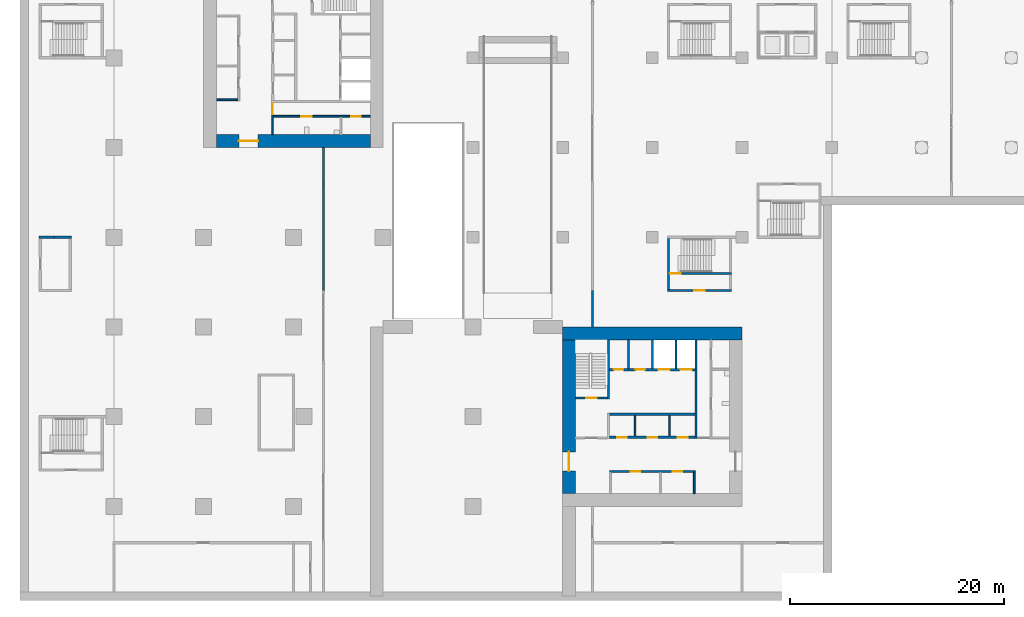
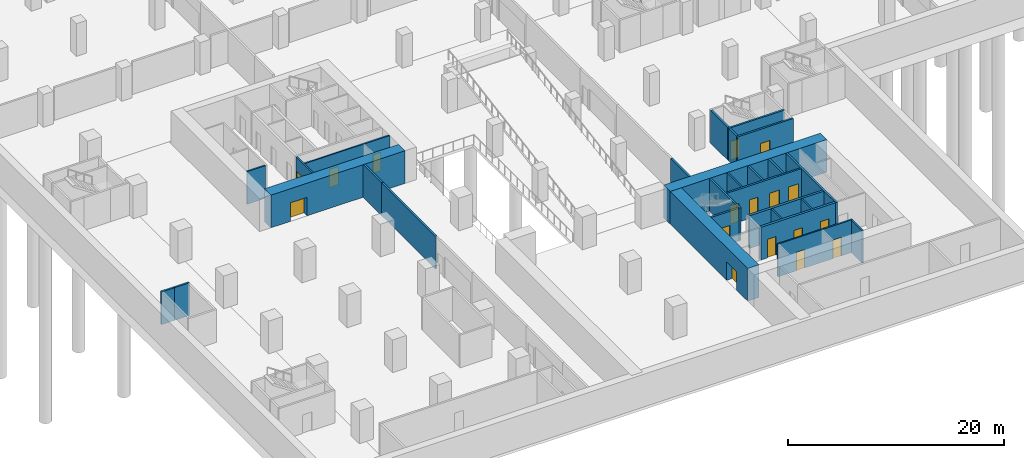
# One storey, part 4 of 19: 28 walls, 17 doors, 17 openings.
"""IFC4 building model written with IfcOpenShell, lengths in metres."""

from ifc_helpers import new_model, si_unit, direction, frame, frame_2d, origin, place, context, subcontext, project, spatial, rectangle, extrude, material, layer, layer_set, type_object, element, fill, save


model = new_model("IFC4")

# Units and contexts
model_context = context("Model", 3, precision=1e-05, world=origin(), true_north=direction((0.0, 1.0)))
body_context = subcontext(model_context, "Body", "Model", "MODEL_VIEW")
ifc_project = project(units=[si_unit("LENGTHUNIT", "METRE"), si_unit("AREAUNIT", "SQUARE_METRE"), si_unit("VOLUMEUNIT", "CUBIC_METRE"), si_unit("PLANEANGLEUNIT", "RADIAN"), si_unit("MASSUNIT", "GRAM", prefix="KILO")], contexts=[model_context])

# Site, building, storey
site_placement = place(None, origin())
site = spatial("IfcSite", under=ifc_project, at=site_placement, CompositionType="ELEMENT")
building_placement = place(site_placement, origin())
building = spatial("IfcBuilding", under=site, at=building_placement, Name="Vermilion Gate Residences", CompositionType="ELEMENT")
storey_placement = place(building_placement, frame((0.0, 0.0, -8.0)))
storey = spatial("IfcBuildingStorey", under=building, at=storey_placement, Name="B2", CompositionType="ELEMENT", Elevation=-8.0)

# Wall
ifc_material_1 = material(Name="Masonry blockwork", Category="masonry")
ifc_layer_1 = layer(ifc_material_1, 0.14990234375)
ifc_layer_set_1 = layer_set([ifc_layer_1], Name="BLOCKWORK PARTITION 150 EI 120")
wall_type_1 = type_object("IfcWallType", Name="BLOCKWORK PARTITION 150 EI 120", PredefinedType="PARTITIONING", material=ifc_layer_set_1)
wall_1_placement = place(storey_placement, frame((54.324951171875, 9.60009765625, 0.0), z_axis=(0.0, 0.0, 1.0), x_axis=(0.0, 1.0, 0.0)))
element("IfcWall", 1, at=wall_1_placement, inside=storey, type_object=wall_type_1, Name="Core room partition AB2-RW-E", PredefinedType="PARTITIONING", context=body_context, shape_type="SweptSolid", body=[
    extrude(rectangle(XDim=2.0, YDim=0.14990234375, at=frame_2d((1.0, 0.0))), origin(), (0.0, 0.0, 1.0), 3.699951171875),
])

# Wall, openings, doors
wall_2_placement = place(storey_placement, frame((46.39990234375, 11.675048828125, 0.0), z_axis=(0.0, 0.0, 1.0), x_axis=(1.0, 0.0, 0.0)))
wall_2 = element("IfcWall", 2, at=wall_2_placement, inside=storey, type_object=wall_type_1, Name="Core room partition AB2-LR-F", PredefinedType="PARTITIONING", context=body_context, shape_type="SweptSolid", body=[
    extrude(rectangle(XDim=8.0, YDim=0.14990234375, at=frame_2d((4.0, 0.0))), origin(), (0.0, 0.0, 1.0), 3.699951171875),
])
opening_1_placement = place(wall_2_placement, frame((1.965087890625, 0.0, 0.0)))
opening_1 = element("IfcOpeningElement", 3, at=opening_1_placement, cuts=wall_2, Name="Opening DKB2003", PredefinedType="OPENING", context=body_context, shape_type="SweptSolid", body=[
    extrude(rectangle(XDim=0.89990234375, YDim=2.10009765625, at=frame_2d((0.449951171875, 1.050048828125))), frame((0.0, 0.0849609375, 0.0), z_axis=(0.0, -1.0, 0.0), x_axis=(1.0, 0.0, 0.0)), (0.0, 0.0, 1.0), 0.169921875),
])
opening_2_placement = place(wall_2_placement, frame((5.889892578125, 0.0, 0.0)))
opening_2 = element("IfcOpeningElement", 4, at=opening_2_placement, cuts=wall_2, Name="Opening DKB2004", PredefinedType="OPENING", context=body_context, shape_type="SweptSolid", body=[
    extrude(rectangle(XDim=0.89990234375, YDim=2.10009765625, at=frame_2d((0.449951171875, 1.050048828125))), frame((0.0, 0.0849609375, 0.0), z_axis=(0.0, -1.0, 0.0), x_axis=(1.0, 0.0, 0.0)), (0.0, 0.0, 1.0), 0.169921875),
])
ifc_material_2 = material(Name="Steel", Category="steel")
door_type_1 = type_object("IfcDoorType", Name="SERVICE ROOM DOOR FD60 900 X 2100", OperationType="SINGLE_SWING_LEFT", PredefinedType="DOOR", material=ifc_material_2)
door_1_placement = place(opening_1_placement, frame((0.89990234375, 0.0, 0.0), z_axis=(0.0, 0.0, 1.0), x_axis=(-1.0, 0.0, 0.0)))
door_1 = element("IfcDoor", 5, at=door_1_placement, inside=storey, type_object=door_type_1, Name="Mail room AB2", OperationType="SINGLE_SWING_RIGHT", OverallHeight=2.10009765625, OverallWidth=0.89990234375, PredefinedType="DOOR", context=body_context, shape_type="SweptSolid", body=[
    extrude(rectangle(XDim=0.89990234375, YDim=2.10009765625, at=frame_2d((0.449951171875, 1.050048828125))), frame((0.0, 0.02490234375, 0.0), z_axis=(0.0, -1.0, 0.0), x_axis=(1.0, 0.0, 0.0)), (0.0, 0.0, 1.0), 0.050048828125),
])
fill(opening_1, door_1)
door_2_placement = place(opening_2_placement, frame((0.89990234375, 0.0, 0.0), z_axis=(0.0, 0.0, 1.0), x_axis=(-1.0, 0.0, 0.0)))
door_2 = element("IfcDoor", 6, at=door_2_placement, inside=storey, type_object=door_type_1, Name="Cleaner's store AB2", OperationType="SINGLE_SWING_RIGHT", OverallHeight=2.10009765625, OverallWidth=0.89990234375, PredefinedType="DOOR", context=body_context, shape_type="SweptSolid", body=[
    extrude(rectangle(XDim=0.89990234375, YDim=2.10009765625, at=frame_2d((0.449951171875, 1.050048828125))), frame((0.0, 0.02490234375, 0.0), z_axis=(0.0, -1.0, 0.0), x_axis=(1.0, 0.0, 0.0)), (0.0, 0.0, 1.0), 0.050048828125),
])
fill(opening_2, door_2)

# Walls
for number, where, z_axis, x_axis, name in (
    (7, (48.784912109375, 15.0, 0.0), (0.0, 0.0, 1.0), (0.0, 1.0, 0.0), "Core room partition AB2-HR-P0"),
    (8, (52.014892578125, 15.0, 0.0), (0.0, 0.0, 1.0), (0.0, 1.0, 0.0), "Core room partition AB2-HR-P1"),
):
    element("IfcWall", number, at=place(storey_placement, frame(where, z_axis=z_axis, x_axis=x_axis)), inside=storey, type_object=wall_type_1, Name=name, PredefinedType="PARTITIONING", context=body_context, shape_type="SweptSolid", body=[
        extrude(rectangle(XDim=1.89990234375, YDim=0.14990234375, at=frame_2d((0.949951171875, 0.0))), origin(), (0.0, 0.0, 1.0), 3.699951171875),
    ])
wall_3_placement = place(storey_placement, frame((48.16259765625, 21.300048828125, 0.0), z_axis=(0.0, 0.0, 1.0), x_axis=(0.0, 1.0, 0.0)))
element("IfcWall", 9, at=wall_3_placement, inside=storey, type_object=wall_type_1, Name="Core room partition AB2-NR-P0", PredefinedType="PARTITIONING", context=body_context, shape_type="SweptSolid", body=[
    extrude(rectangle(XDim=2.699951171875, YDim=0.14990234375, at=frame_2d((1.35009765625, 0.0))), origin(), (0.0, 0.0, 1.0), 3.699951171875),
])
wall_4_placement = place(storey_placement, frame((9.60009765625, 46.47509765625, 0.0), z_axis=(0.0, 0.0, 1.0), x_axis=(1.0, 0.0, 0.0)))
element("IfcWall", 10, at=wall_4_placement, inside=storey, type_object=wall_type_1, Name="Core room partition BB2-RW-E", PredefinedType="PARTITIONING", context=body_context, shape_type="SweptSolid", body=[
    extrude(rectangle(XDim=2.0, YDim=0.14990234375, at=frame_2d((1.0, 0.0))), origin(), (0.0, 0.0, 1.0), 3.699951171875),
])

# Wall, opening, door
wall_5_placement = place(storey_placement, frame((14.824951171875, 46.199951171875, 0.0), z_axis=(0.0, 0.0, 1.0), x_axis=(0.0, -1.0, 0.0)))
wall_5 = element("IfcWall", 11, at=wall_5_placement, inside=storey, type_object=wall_type_1, Name="Core room partition BB2-ES-S", PredefinedType="PARTITIONING", context=body_context, shape_type="SweptSolid", body=[
    extrude(rectangle(XDim=3.0, YDim=0.14990234375, at=frame_2d((1.5, 0.0))), origin(), (0.0, 0.0, 1.0), 3.699951171875),
])
opening_3_placement = place(wall_5_placement, frame((0.10009765625, 0.0, 0.0)))
opening_3 = element("IfcOpeningElement", 12, at=opening_3_placement, cuts=wall_5, Name="Opening DKB2113", PredefinedType="OPENING", context=body_context, shape_type="SweptSolid", body=[
    extrude(rectangle(XDim=1.0, YDim=2.10009765625, at=frame_2d((0.5, 1.050048828125))), frame((0.0, 0.0849609375, 0.0), z_axis=(0.0, -1.0, 0.0), x_axis=(1.0, 0.0, 0.0)), (0.0, 0.0, 1.0), 0.169921875),
])
ifc_material_3 = material(Name="Steel", Category="steel")
door_type_2 = type_object("IfcDoorType", Name="FIRE DOOR FD60 1000 X 2100", OperationType="SINGLE_SWING_LEFT", PredefinedType="DOOR", material=ifc_material_3)
door_3_placement = place(opening_3_placement, frame((1.0, 0.0, 0.0), z_axis=(0.0, 0.0, 1.0), x_axis=(-1.0, 0.0, 0.0)))
door_3 = element("IfcDoor", 13, at=door_3_placement, inside=storey, type_object=door_type_2, Name="Service corridor door BB2", OperationType="SINGLE_SWING_LEFT", OverallHeight=2.10009765625, OverallWidth=1.0, PredefinedType="DOOR", context=body_context, shape_type="SweptSolid", body=[
    extrude(rectangle(XDim=1.0, YDim=2.10009765625, at=frame_2d((0.5, 1.050048828125))), frame((0.0, 0.02490234375, 0.0), z_axis=(0.0, -1.0, 0.0), x_axis=(1.0, 0.0, 0.0)), (0.0, 0.0, 1.0), 0.050048828125),
])
fill(opening_3, door_3)

# Wall, openings, doors
wall_6_placement = place(storey_placement, frame((14.89990234375, 44.925048828125, 0.0), z_axis=(0.0, 0.0, 1.0), x_axis=(1.0, 0.0, 0.0)))
wall_6 = element("IfcWall", 14, at=wall_6_placement, inside=storey, type_object=wall_type_1, Name="Core room partition BB2-ES-W", PredefinedType="PARTITIONING", context=body_context, shape_type="SweptSolid", body=[
    extrude(rectangle(XDim=9.10009765625, YDim=0.14990234375, at=frame_2d((4.550048828125, 0.0))), origin(), (0.0, 0.0, 1.0), 3.699951171875),
])
opening_4_placement = place(wall_6_placement, frame((2.632568359375, 0.0, 0.0)))
opening_4 = element("IfcOpeningElement", 15, at=opening_4_placement, cuts=wall_6, Name="Opening DKB2114", PredefinedType="OPENING", context=body_context, shape_type="SweptSolid", body=[
    extrude(rectangle(XDim=1.0, YDim=2.10009765625, at=frame_2d((0.5, 1.050048828125))), frame((0.0, 0.0849609375, 0.0), z_axis=(0.0, -1.0, 0.0), x_axis=(1.0, 0.0, 0.0)), (0.0, 0.0, 1.0), 0.169921875),
])
opening_5_placement = place(wall_6_placement, frame((7.3076171875, 0.0, 0.0)))
opening_5 = element("IfcOpeningElement", 16, at=opening_5_placement, cuts=wall_6, Name="Opening DKB2115", PredefinedType="OPENING", context=body_context, shape_type="SweptSolid", body=[
    extrude(rectangle(XDim=0.89990234375, YDim=2.10009765625, at=frame_2d((0.449951171875, 1.050048828125))), frame((0.0, 0.0849609375, 0.0), z_axis=(0.0, -1.0, 0.0), x_axis=(1.0, 0.0, 0.0)), (0.0, 0.0, 1.0), 0.169921875),
])
door_4_placement = place(opening_4_placement, frame((1.0, 0.0, 0.0), z_axis=(0.0, 0.0, 1.0), x_axis=(-1.0, 0.0, 0.0)))
door_4 = element("IfcDoor", 17, at=door_4_placement, inside=storey, type_object=door_type_2, Name="Accessible WC BB2", OperationType="SINGLE_SWING_RIGHT", OverallHeight=2.10009765625, OverallWidth=1.0, PredefinedType="DOOR", context=body_context, shape_type="SweptSolid", body=[
    extrude(rectangle(XDim=1.0, YDim=2.10009765625, at=frame_2d((0.5, 1.050048828125))), frame((0.0, 0.02490234375, 0.0), z_axis=(0.0, -1.0, 0.0), x_axis=(1.0, 0.0, 0.0)), (0.0, 0.0, 1.0), 0.050048828125),
])
fill(opening_4, door_4)
door_5_placement = place(opening_5_placement, frame((0.89990234375, 0.0, 0.0), z_axis=(0.0, 0.0, 1.0), x_axis=(-1.0, 0.0, 0.0)))
door_5 = element("IfcDoor", 18, at=door_5_placement, inside=storey, type_object=door_type_1, Name="Communications room BB2", OperationType="SINGLE_SWING_LEFT", OverallHeight=2.10009765625, OverallWidth=0.89990234375, PredefinedType="DOOR", context=body_context, shape_type="SweptSolid", body=[
    extrude(rectangle(XDim=0.89990234375, YDim=2.10009765625, at=frame_2d((0.449951171875, 1.050048828125))), frame((0.0, 0.02490234375, 0.0), z_axis=(0.0, -1.0, 0.0), x_axis=(1.0, 0.0, 0.0)), (0.0, 0.0, 1.0), 0.050048828125),
])
fill(opening_5, door_5)

# Walls
ifc_material_4 = material(Name="Concrete blockwork", Category="masonry")
ifc_layer_2 = layer(ifc_material_4, 0.199951171875)
ifc_layer_set_2 = layer_set([ifc_layer_2], Name="FIRE WALL 200 EI 120 (AMENITY)")
wall_type_2 = type_object("IfcWallType", Name="FIRE WALL 200 EI 120 (AMENITY)", PredefinedType="PARTITIONING", material=ifc_layer_set_2)
wall_7_placement = place(storey_placement, frame((-7.0, 33.60009765625, 0.0), z_axis=(0.0, 0.0, 1.0), x_axis=(1.0, 0.0, 0.0)))
element("IfcWall", 19, at=wall_7_placement, inside=storey, type_object=wall_type_2, Name="Fire-resisting wall 8", PredefinedType="PARTITIONING", context=body_context, shape_type="SweptSolid", body=[
    extrude(rectangle(XDim=1.39990234375, YDim=0.199951171875, at=frame_2d((0.699951171875, 0.0))), origin(), (0.0, 0.0, 1.0), 3.699951171875),
])
wall_8_placement = place(storey_placement, frame((-5.60009765625, 33.60009765625, 0.0), z_axis=(0.0, 0.0, 1.0), x_axis=(1.0, 0.0, 0.0)))
element("IfcWall", 20, at=wall_8_placement, inside=storey, type_object=wall_type_2, Name="Fire-resisting wall 20", PredefinedType="PARTITIONING", context=body_context, shape_type="SweptSolid", body=[
    extrude(rectangle(XDim=1.60009765625, YDim=0.199951171875, at=frame_2d((0.800048828125, 0.0))), origin(), (0.0, 0.0, 1.0), 3.699951171875),
])
ifc_material_5 = material(Name="Concrete blockwork", Category="masonry")
ifc_layer_3 = layer(ifc_material_5, 0.199951171875)
ifc_layer_set_3 = layer_set([ifc_layer_3], Name="GARAGE FIRE WALL 200 EI 120 (AMENITY)")
wall_type_3 = type_object("IfcWallType", Name="GARAGE FIRE WALL 200 EI 120 (AMENITY)", PredefinedType="PARTITIONING", material=ifc_layer_set_3)
wall_9_placement = place(storey_placement, frame((19.60009765625, 28.60009765625, 0.0), z_axis=(0.0, 0.0, 1.0), x_axis=(0.0, 1.0, 0.0)))
element("IfcWall", 21, at=wall_9_placement, inside=storey, type_object=wall_type_3, Name="Fire compartment wall", PredefinedType="PARTITIONING", context=body_context, shape_type="SweptSolid", body=[
    extrude(rectangle(XDim=10.0, YDim=0.199951171875, at=frame_2d((5.0, 0.0))), origin(), (0.0, 0.0, 1.0), 3.699951171875),
])
wall_10_placement = place(storey_placement, frame((19.60009765625, 38.60009765625, 0.0), z_axis=(0.0, 0.0, 1.0), x_axis=(0.0, 1.0, 0.0)))
element("IfcWall", 22, at=wall_10_placement, inside=storey, type_object=wall_type_3, Name="Fire compartment wall", PredefinedType="PARTITIONING", context=body_context, shape_type="SweptSolid", body=[
    extrude(rectangle(XDim=3.39990234375, YDim=0.199951171875, at=frame_2d((1.699951171875, 0.0))), origin(), (0.0, 0.0, 1.0), 3.699951171875),
])
wall_11_placement = place(storey_placement, frame((44.800048828125, 25.199951171875, 0.0), z_axis=(0.0, 0.0, 1.0), x_axis=(0.0, 1.0, 0.0)))
element("IfcWall", 23, at=wall_11_placement, inside=storey, type_object=wall_type_3, Name="Fire compartment wall", PredefinedType="PARTITIONING", context=body_context, shape_type="SweptSolid", body=[
    extrude(rectangle(XDim=3.400146484375, YDim=0.199951171875, at=frame_2d((1.7001953125, 0.0))), origin(), (0.0, 0.0, 1.0), 3.699951171875),
])
ifc_material_6 = material(Name="Concrete C60", Category="concrete")
ifc_layer_4 = layer(ifc_material_6, 0.199951171875)
ifc_layer_set_4 = layer_set([ifc_layer_4], Name="RC CORE INTERNAL WALL 200 C60")
wall_type_4 = type_object("IfcWallType", Name="RC CORE INTERNAL WALL 200 C60", PredefinedType="SHEAR", material=ifc_layer_set_4)
for number, where, z_axis, x_axis, name in (
    (24, (50.39990234375, 21.300048828125, 0.0), (0.0, 0.0, 1.0), (0.0, 1.0, 0.0), "Core internal wall AB2-FF-D0"),
    (25, (52.60009765625, 21.300048828125, 0.0), (0.0, 0.0, 1.0), (0.0, 1.0, 0.0), "Core internal wall AB2-FF-D1"),
):
    element("IfcWall", number, at=place(storey_placement, frame(where, z_axis=z_axis, x_axis=x_axis)), inside=storey, type_object=wall_type_4, Name=name, PredefinedType="SHEAR", context=body_context, shape_type="SweptSolid", body=[
        extrude(rectangle(XDim=2.699951171875, YDim=0.199951171875, at=frame_2d((1.35009765625, 0.0))), origin(), (0.0, 0.0, 1.0), 3.699951171875),
    ])

# Wall, openings, doors
wall_12_placement = place(storey_placement, frame((46.39990234375, 21.199951171875, 0.0), z_axis=(0.0, 0.0, 1.0), x_axis=(1.0, 0.0, 0.0)))
wall_12 = element("IfcWall", 26, at=wall_12_placement, inside=storey, type_object=wall_type_4, Name="Core internal wall AB2-FF-F", PredefinedType="SHEAR", context=body_context, shape_type="SweptSolid", body=[
    extrude(rectangle(XDim=8.0, YDim=0.199951171875, at=frame_2d((4.0, 0.0))), origin(), (0.0, 0.0, 1.0), 3.699951171875),
])
opening_6_placement = place(wall_12_placement, frame((0.393798828125, 0.0, 0.0)))
opening_6 = element("IfcOpeningElement", 27, at=opening_6_placement, cuts=wall_12, Name="Opening DKB2008", PredefinedType="OPENING", context=body_context, shape_type="SweptSolid", body=[
    extrude(rectangle(XDim=0.89990234375, YDim=2.10009765625, at=frame_2d((0.449951171875, 1.050048828125))), frame((0.0, 0.10986328125, 0.0), z_axis=(0.0, -1.0, 0.0), x_axis=(1.0, 0.0, 0.0)), (0.0, 0.0, 1.0), 0.219970703125),
])
opening_7_placement = place(wall_12_placement, frame((2.418701171875, 0.0, 0.0)))
opening_7 = element("IfcOpeningElement", 28, at=opening_7_placement, cuts=wall_12, Name="Opening DKB2009", PredefinedType="OPENING", context=body_context, shape_type="SweptSolid", body=[
    extrude(rectangle(XDim=0.89990234375, YDim=2.10009765625, at=frame_2d((0.449951171875, 1.050048828125))), frame((0.0, 0.10986328125, 0.0), z_axis=(0.0, -1.0, 0.0), x_axis=(1.0, 0.0, 0.0)), (0.0, 0.0, 1.0), 0.219970703125),
])
opening_8_placement = place(wall_12_placement, frame((4.550048828125, 0.0, 0.0)))
opening_8 = element("IfcOpeningElement", 29, at=opening_8_placement, cuts=wall_12, Name="Opening LD", PredefinedType="OPENING", context=body_context, shape_type="SweptSolid", body=[
    extrude(rectangle(XDim=1.10009765625, YDim=2.10009765625, at=frame_2d((0.550048828125, 1.050048828125))), frame((0.0, 0.10986328125, 0.0), z_axis=(0.0, -1.0, 0.0), x_axis=(1.0, 0.0, 0.0)), (0.0, 0.0, 1.0), 0.219970703125),
])
opening_9_placement = place(wall_12_placement, frame((6.60009765625, 0.0, 0.0)))
opening_9 = element("IfcOpeningElement", 30, at=opening_9_placement, cuts=wall_12, Name="Opening LD", PredefinedType="OPENING", context=body_context, shape_type="SweptSolid", body=[
    extrude(rectangle(XDim=1.10009765625, YDim=2.10009765625, at=frame_2d((0.550048828125, 1.050048828125))), frame((0.0, 0.10986328125, 0.0), z_axis=(0.0, -1.0, 0.0), x_axis=(1.0, 0.0, 0.0)), (0.0, 0.0, 1.0), 0.219970703125),
])
ifc_material_7 = material(Name="Stainless steel", Category="steel")
door_type_3 = type_object("IfcDoorType", Name="LIFT LANDING DOOR E60 1100 X 2100", OperationType="DOUBLE_DOOR_SLIDING", PredefinedType="DOOR", material=ifc_material_7)
door_6_placement = place(opening_8_placement, origin())
door_6 = element("IfcDoor", 31, at=door_6_placement, inside=storey, type_object=door_type_3, Name="Lift landing door LFA1", OperationType="DOUBLE_DOOR_SLIDING", OverallHeight=2.10009765625, OverallWidth=1.10009765625, PredefinedType="DOOR", context=body_context, shape_type="SweptSolid", body=[
    extrude(rectangle(XDim=1.10009765625, YDim=2.10009765625, at=frame_2d((0.550048828125, 1.050048828125))), frame((0.0, 0.02490234375, 0.0), z_axis=(0.0, -1.0, 0.0), x_axis=(1.0, 0.0, 0.0)), (0.0, 0.0, 1.0), 0.050048828125),
])
fill(opening_8, door_6)
door_7_placement = place(opening_9_placement, origin())
door_7 = element("IfcDoor", 32, at=door_7_placement, inside=storey, type_object=door_type_3, Name="Lift landing door LCA1", OperationType="DOUBLE_DOOR_SLIDING", OverallHeight=2.10009765625, OverallWidth=1.10009765625, PredefinedType="DOOR", context=body_context, shape_type="SweptSolid", body=[
    extrude(rectangle(XDim=1.10009765625, YDim=2.10009765625, at=frame_2d((0.550048828125, 1.050048828125))), frame((0.0, 0.02490234375, 0.0), z_axis=(0.0, -1.0, 0.0), x_axis=(1.0, 0.0, 0.0)), (0.0, 0.0, 1.0), 0.050048828125),
])
fill(opening_9, door_7)
door_8_placement = place(opening_6_placement, origin())
door_8 = element("IfcDoor", 33, at=door_8_placement, inside=storey, type_object=door_type_1, Name="Housekeeping store AB2", OperationType="SINGLE_SWING_LEFT", OverallHeight=2.10009765625, OverallWidth=0.89990234375, PredefinedType="DOOR", context=body_context, shape_type="SweptSolid", body=[
    extrude(rectangle(XDim=0.89990234375, YDim=2.10009765625, at=frame_2d((0.449951171875, 1.050048828125))), frame((0.0, 0.02490234375, 0.0), z_axis=(0.0, -1.0, 0.0), x_axis=(1.0, 0.0, 0.0)), (0.0, 0.0, 1.0), 0.050048828125),
])
fill(opening_6, door_8)
door_9_placement = place(opening_7_placement, origin())
door_9 = element("IfcDoor", 34, at=door_9_placement, inside=storey, type_object=door_type_1, Name="Mail room AB2", OperationType="SINGLE_SWING_LEFT", OverallHeight=2.10009765625, OverallWidth=0.89990234375, PredefinedType="DOOR", context=body_context, shape_type="SweptSolid", body=[
    extrude(rectangle(XDim=0.89990234375, YDim=2.10009765625, at=frame_2d((0.449951171875, 1.050048828125))), frame((0.0, 0.02490234375, 0.0), z_axis=(0.0, -1.0, 0.0), x_axis=(1.0, 0.0, 0.0)), (0.0, 0.0, 1.0), 0.050048828125),
])
fill(opening_7, door_9)

# Wall
wall_13_placement = place(storey_placement, frame((46.300048828125, 18.449951171875, 0.0), z_axis=(0.0, 0.0, 1.0), x_axis=(0.0, 1.0, 0.0)))
element("IfcWall", 35, at=wall_13_placement, inside=storey, type_object=wall_type_4, Name="Core internal wall AB2-WDIV2", PredefinedType="SHEAR", context=body_context, shape_type="SweptSolid", body=[
    extrude(rectangle(XDim=5.550048828125, YDim=0.199951171875, at=frame_2d((2.77490234375, 0.0))), origin(), (0.0, 0.0, 1.0), 3.699951171875),
])

# Wall, opening, door
wall_14_placement = place(storey_placement, frame((43.199951171875, 18.550048828125, 0.0), z_axis=(0.0, 0.0, 1.0), x_axis=(1.0, 0.0, 0.0)))
wall_14 = element("IfcWall", 36, at=wall_14_placement, inside=storey, type_object=wall_type_4, Name="Core internal wall AB2-STW-S", PredefinedType="SHEAR", context=body_context, shape_type="SweptSolid", body=[
    extrude(rectangle(XDim=3.0, YDim=0.199951171875, at=frame_2d((1.5, 0.0))), origin(), (0.0, 0.0, 1.0), 3.699951171875),
])
opening_10_placement = place(wall_14_placement, frame((1.0, 0.0, 0.0)))
opening_10 = element("IfcOpeningElement", 37, at=opening_10_placement, cuts=wall_14, Name="Opening DKB2013", PredefinedType="OPENING", context=body_context, shape_type="SweptSolid", body=[
    extrude(rectangle(XDim=1.0, YDim=2.10009765625, at=frame_2d((0.5, 1.050048828125))), frame((0.0, 0.10986328125, 0.0), z_axis=(0.0, -1.0, 0.0), x_axis=(1.0, 0.0, 0.0)), (0.0, 0.0, 1.0), 0.219970703125),
])
door_10_placement = place(opening_10_placement, origin())
door_10 = element("IfcDoor", 38, at=door_10_placement, inside=storey, type_object=door_type_2, Name="Stair door AB2", OperationType="SINGLE_SWING_LEFT", OverallHeight=2.10009765625, OverallWidth=1.0, PredefinedType="DOOR", context=body_context, shape_type="SweptSolid", body=[
    extrude(rectangle(XDim=1.0, YDim=2.10009765625, at=frame_2d((0.5, 1.050048828125))), frame((0.0, 0.02490234375, 0.0), z_axis=(0.0, -1.0, 0.0), x_axis=(1.0, 0.0, 0.0)), (0.0, 0.0, 1.0), 0.050048828125),
])
fill(opening_10, door_10)

# Walls
wall_15_placement = place(storey_placement, frame((54.5, 14.75, 0.0), z_axis=(0.0, 0.0, 1.0), x_axis=(0.0, 1.0, 0.0)))
element("IfcWall", 39, at=wall_15_placement, inside=storey, type_object=wall_type_4, Name="Core internal wall AB2-EDIV", PredefinedType="SHEAR", context=body_context, shape_type="SweptSolid", body=[
    extrude(rectangle(XDim=9.25, YDim=0.199951171875, at=frame_2d((4.625, 0.0))), origin(), (0.0, 0.0, 1.0), 3.699951171875),
])
ifc_material_8 = material(Name="Concrete C80", Category="concrete")
ifc_layer_5 = layer(ifc_material_8, 1.199951171875)
ifc_layer_set_5 = layer_set([ifc_layer_5], Name="RC CORE WALL 1200 C80")
wall_type_5 = type_object("IfcWallType", Name="RC CORE WALL 1200 C80", PredefinedType="SHEAR", material=ifc_layer_set_5)
wall_16_placement = place(storey_placement, frame((42.0, 24.60009765625, 0.0), z_axis=(0.0, 0.0, 1.0), x_axis=(1.0, 0.0, 0.0)))
element("IfcWall", 40, at=wall_16_placement, inside=storey, type_object=wall_type_5, Name="Core wall AB2-OUT-B1", PredefinedType="SHEAR", context=body_context, shape_type="SweptSolid", body=[
    extrude(rectangle(XDim=16.800048828125, YDim=1.199951171875, at=frame_2d((8.39990234375, 0.0))), origin(), (0.0, 0.0, 1.0), 3.699951171875),
])

# Wall, opening, door
wall_17_placement = place(storey_placement, frame((42.60009765625, 9.60009765625, 0.0), z_axis=(0.0, 0.0, 1.0), x_axis=(0.0, 1.0, 0.0)))
wall_17 = element("IfcWall", 41, at=wall_17_placement, inside=storey, type_object=wall_type_5, Name="Core wall AB2-OUT-FR", PredefinedType="SHEAR", context=body_context, shape_type="SweptSolid", body=[
    extrude(rectangle(XDim=14.39990234375, YDim=1.199951171875, at=frame_2d((7.199951171875, 0.0))), origin(), (0.0, 0.0, 1.0), 3.699951171875),
])
opening_11_placement = place(wall_17_placement, frame((2.10009765625, 0.0, 0.0)))
opening_11 = element("IfcOpeningElement", 42, at=opening_11_placement, cuts=wall_17, Name="Opening DKB2001", PredefinedType="OPENING", context=body_context, shape_type="SweptSolid", body=[
    extrude(rectangle(XDim=1.800048828125, YDim=2.10009765625, at=frame_2d((0.89990234375, 1.050048828125))), frame((0.0, 0.60986328125, 0.0), z_axis=(0.0, -1.0, 0.0), x_axis=(1.0, 0.0, 0.0)), (0.0, 0.0, 1.0), 1.219970703125),
])
ifc_material_9 = material(Name="Steel", Category="steel")
door_type_4 = type_object("IfcDoorType", Name="CORE LOBBY DOOR FD60 1800 X 2100", OperationType="DOUBLE_DOOR_SINGLE_SWING", PredefinedType="DOOR", material=ifc_material_9)
door_11_placement = place(opening_11_placement, frame((1.800048828125, 0.0, 0.0), z_axis=(0.0, 0.0, 1.0), x_axis=(-1.0, 0.0, 0.0)))
door_11 = element("IfcDoor", 43, at=door_11_placement, inside=storey, type_object=door_type_4, Name="Core lobby door AB2", OperationType="DOUBLE_DOOR_SINGLE_SWING", OverallHeight=2.10009765625, OverallWidth=1.800048828125, PredefinedType="DOOR", context=body_context, shape_type="SweptSolid", body=[
    extrude(rectangle(XDim=1.800048828125, YDim=2.10009765625, at=frame_2d((0.89990234375, 1.050048828125))), frame((0.0, 0.02490234375, 0.0), z_axis=(0.0, -1.0, 0.0), x_axis=(1.0, 0.0, 0.0)), (0.0, 0.0, 1.0), 0.050048828125),
])
fill(opening_11, door_11)

wall_18_placement = place(storey_placement, frame((9.60009765625, 42.60009765625, 0.0), z_axis=(0.0, 0.0, 1.0), x_axis=(1.0, 0.0, 0.0)))
wall_18 = element("IfcWall", 44, at=wall_18_placement, inside=storey, type_object=wall_type_5, Name="Core wall BB2-OUT-BK", PredefinedType="SHEAR", context=body_context, shape_type="SweptSolid", body=[
    extrude(rectangle(XDim=14.39990234375, YDim=1.199951171875, at=frame_2d((7.199951171875, 0.0))), origin(), (0.0, 0.0, 1.0), 3.699951171875),
])
opening_12_placement = place(wall_18_placement, frame((2.10009765625, 0.0, 0.0)))
opening_12 = element("IfcOpeningElement", 45, at=opening_12_placement, cuts=wall_18, Name="Opening DKB2101", PredefinedType="OPENING", context=body_context, shape_type="SweptSolid", body=[
    extrude(rectangle(XDim=1.800048828125, YDim=2.10009765625, at=frame_2d((0.89990234375, 1.050048828125))), frame((0.0, 0.60986328125, 0.0), z_axis=(0.0, -1.0, 0.0), x_axis=(1.0, 0.0, 0.0)), (0.0, 0.0, 1.0), 1.219970703125),
])
door_12_placement = place(opening_12_placement, frame((1.800048828125, 0.0, 0.0), z_axis=(0.0, 0.0, 1.0), x_axis=(-1.0, 0.0, 0.0)))
door_12 = element("IfcDoor", 46, at=door_12_placement, inside=storey, type_object=door_type_4, Name="Core lobby door BB2", OperationType="DOUBLE_DOOR_SINGLE_SWING", OverallHeight=2.10009765625, OverallWidth=1.800048828125, PredefinedType="DOOR", context=body_context, shape_type="SweptSolid", body=[
    extrude(rectangle(XDim=1.800048828125, YDim=2.10009765625, at=frame_2d((0.89990234375, 1.050048828125))), frame((0.0, 0.02490234375, 0.0), z_axis=(0.0, -1.0, 0.0), x_axis=(1.0, 0.0, 0.0)), (0.0, 0.0, 1.0), 0.050048828125),
])
fill(opening_12, door_12)

# Wall, openings, doors
ifc_material_10 = material(Name="Concrete C60", Category="concrete")
ifc_layer_6 = layer(ifc_material_10, 0.25)
ifc_layer_set_6 = layer_set([ifc_layer_6], Name="RC LIFT SHAFT WALL 250 C60")
wall_type_6 = type_object("IfcWallType", Name="RC LIFT SHAFT WALL 250 C60", PredefinedType="SHEAR", material=ifc_layer_set_6)
wall_19_placement = place(storey_placement, frame((46.39990234375, 14.875, 0.0), z_axis=(0.0, 0.0, 1.0), x_axis=(1.0, 0.0, 0.0)))
wall_19 = element("IfcWall", 47, at=wall_19_placement, inside=storey, type_object=wall_type_6, Name="Lift shaft wall AB2-HR-F", PredefinedType="SHEAR", context=body_context, shape_type="SweptSolid", body=[
    extrude(rectangle(XDim=8.0, YDim=0.25, at=frame_2d((4.0, 0.0))), origin(), (0.0, 0.0, 1.0), 3.699951171875),
])
opening_13_placement = place(wall_19_placement, frame((0.705078125, 0.0, 0.0)))
opening_13 = element("IfcOpeningElement", 48, at=opening_13_placement, cuts=wall_19, Name="Opening DKB2005", PredefinedType="OPENING", context=body_context, shape_type="SweptSolid", body=[
    extrude(rectangle(XDim=0.89990234375, YDim=2.10009765625, at=frame_2d((0.449951171875, 1.050048828125))), frame((0.0, 0.135009765625, 0.0), z_axis=(0.0, -1.0, 0.0), x_axis=(1.0, 0.0, 0.0)), (0.0, 0.0, 1.0), 0.27001953125),
])
opening_14_placement = place(wall_19_placement, frame((3.550048828125, 0.0, 0.0)))
opening_14 = element("IfcOpeningElement", 49, at=opening_14_placement, cuts=wall_19, Name="Opening DKB2006", PredefinedType="OPENING", context=body_context, shape_type="SweptSolid", body=[
    extrude(rectangle(XDim=0.89990234375, YDim=2.10009765625, at=frame_2d((0.449951171875, 1.050048828125))), frame((0.0, 0.135009765625, 0.0), z_axis=(0.0, -1.0, 0.0), x_axis=(1.0, 0.0, 0.0)), (0.0, 0.0, 1.0), 0.27001953125),
])
opening_15_placement = place(wall_19_placement, frame((6.39501953125, 0.0, 0.0)))
opening_15 = element("IfcOpeningElement", 50, at=opening_15_placement, cuts=wall_19, Name="Opening DKB2007", PredefinedType="OPENING", context=body_context, shape_type="SweptSolid", body=[
    extrude(rectangle(XDim=0.89990234375, YDim=2.10009765625, at=frame_2d((0.449951171875, 1.050048828125))), frame((0.0, 0.135009765625, 0.0), z_axis=(0.0, -1.0, 0.0), x_axis=(1.0, 0.0, 0.0)), (0.0, 0.0, 1.0), 0.27001953125),
])
door_13_placement = place(opening_13_placement, frame((0.89990234375, 0.0, 0.0), z_axis=(0.0, 0.0, 1.0), x_axis=(-1.0, 0.0, 0.0)))
door_13 = element("IfcDoor", 51, at=door_13_placement, inside=storey, type_object=door_type_1, Name="Generator room AB2", OperationType="SINGLE_SWING_RIGHT", OverallHeight=2.10009765625, OverallWidth=0.89990234375, PredefinedType="DOOR", context=body_context, shape_type="SweptSolid", body=[
    extrude(rectangle(XDim=0.89990234375, YDim=2.10009765625, at=frame_2d((0.449951171875, 1.050048828125))), frame((0.0, 0.02490234375, 0.0), z_axis=(0.0, -1.0, 0.0), x_axis=(1.0, 0.0, 0.0)), (0.0, 0.0, 1.0), 0.050048828125),
])
fill(opening_13, door_13)
door_14_placement = place(opening_14_placement, frame((0.89990234375, 0.0, 0.0), z_axis=(0.0, 0.0, 1.0), x_axis=(-1.0, 0.0, 0.0)))
door_14 = element("IfcDoor", 52, at=door_14_placement, inside=storey, type_object=door_type_1, Name="Plant room AB2", OperationType="SINGLE_SWING_RIGHT", OverallHeight=2.10009765625, OverallWidth=0.89990234375, PredefinedType="DOOR", context=body_context, shape_type="SweptSolid", body=[
    extrude(rectangle(XDim=0.89990234375, YDim=2.10009765625, at=frame_2d((0.449951171875, 1.050048828125))), frame((0.0, 0.02490234375, 0.0), z_axis=(0.0, -1.0, 0.0), x_axis=(1.0, 0.0, 0.0)), (0.0, 0.0, 1.0), 0.050048828125),
])
fill(opening_14, door_14)
door_15_placement = place(opening_15_placement, frame((0.89990234375, 0.0, 0.0), z_axis=(0.0, 0.0, 1.0), x_axis=(-1.0, 0.0, 0.0)))
door_15 = element("IfcDoor", 53, at=door_15_placement, inside=storey, type_object=door_type_1, Name="Pump room AB2", OperationType="SINGLE_SWING_RIGHT", OverallHeight=2.10009765625, OverallWidth=0.89990234375, PredefinedType="DOOR", context=body_context, shape_type="SweptSolid", body=[
    extrude(rectangle(XDim=0.89990234375, YDim=2.10009765625, at=frame_2d((0.449951171875, 1.050048828125))), frame((0.0, 0.02490234375, 0.0), z_axis=(0.0, -1.0, 0.0), x_axis=(1.0, 0.0, 0.0)), (0.0, 0.0, 1.0), 0.050048828125),
])
fill(opening_15, door_15)

# Walls
wall_20_placement = place(storey_placement, frame((46.39990234375, 17.02490234375, 0.0), z_axis=(0.0, 0.0, 1.0), x_axis=(1.0, 0.0, 0.0)))
element("IfcWall", 54, at=wall_20_placement, inside=storey, type_object=wall_type_6, Name="Lift shaft wall AB2-HR-B", PredefinedType="SHEAR", context=body_context, shape_type="SweptSolid", body=[
    extrude(rectangle(XDim=8.0, YDim=0.25, at=frame_2d((4.0, 0.0))), origin(), (0.0, 0.0, 1.0), 3.699951171875),
])
ifc_material_11 = material(Name="Concrete C40", Category="concrete")
ifc_layer_7 = layer(ifc_material_11, 0.199951171875)
ifc_layer_set_7 = layer_set([ifc_layer_7], Name="RC STAIR AND SHAFT WALL 200 EI 180 C40 (AMENITY)")
wall_type_7 = type_object("IfcWallType", Name="RC STAIR AND SHAFT WALL 200 EI 180 C40 (AMENITY)", PredefinedType="SOLIDWALL", material=ifc_layer_set_7)
wall_21_placement = place(storey_placement, frame((51.89990234375, 28.699951171875, 0.0), z_axis=(0.0, 0.0, 1.0), x_axis=(0.0, 1.0, 0.0)))
element("IfcWall", 55, at=wall_21_placement, inside=storey, type_object=wall_type_7, Name="Stair and shaft wall 66", PredefinedType="SOLIDWALL", context=body_context, shape_type="SweptSolid", body=[
    extrude(rectangle(XDim=1.400146484375, YDim=0.199951171875, at=frame_2d((0.7001953125, 0.0))), origin(), (0.0, 0.0, 1.0), 3.699951171875),
])

# Wall, opening, door
wall_22_placement = place(storey_placement, frame((51.800048828125, 28.60009765625, 0.0), z_axis=(0.0, 0.0, 1.0), x_axis=(1.0, 0.0, 0.0)))
wall_22 = element("IfcWall", 56, at=wall_22_placement, inside=storey, type_object=wall_type_7, Name="Stair and shaft wall 67", PredefinedType="SOLIDWALL", context=body_context, shape_type="SweptSolid", body=[
    extrude(rectangle(XDim=6.0, YDim=0.199951171875, at=frame_2d((3.0, 0.0))), origin(), (0.0, 0.0, 1.0), 3.699951171875),
])
opening_16_placement = place(wall_22_placement, frame((2.5, 0.0, 0.0)))
opening_16 = element("IfcOpeningElement", 57, at=opening_16_placement, cuts=wall_22, Name="Opening DMB2011", PredefinedType="OPENING", context=body_context, shape_type="SweptSolid", body=[
    extrude(rectangle(XDim=1.0, YDim=2.10009765625, at=frame_2d((0.5, 1.050048828125))), frame((0.0, 0.10986328125, 0.0), z_axis=(0.0, -1.0, 0.0), x_axis=(1.0, 0.0, 0.0)), (0.0, 0.0, 1.0), 0.219970703125),
])
ifc_material_12 = material(Name="Steel", Category="steel")
door_type_5 = type_object("IfcDoorType", Name="DOOR 1000 X 2100 FD60 (AMENITY)", OperationType="SINGLE_SWING_LEFT", PredefinedType="DOOR", material=ifc_material_12)
door_16_placement = place(opening_16_placement, frame((1.0, 0.0, 0.0), z_axis=(0.0, 0.0, 1.0), x_axis=(-1.0, 0.0, 0.0)))
door_16 = element("IfcDoor", 58, at=door_16_placement, inside=storey, type_object=door_type_5, Name="Door B2 11", OperationType="SINGLE_SWING_RIGHT", OverallHeight=2.10009765625, OverallWidth=1.0, PredefinedType="DOOR", context=body_context, shape_type="SweptSolid", body=[
    extrude(rectangle(XDim=1.0, YDim=2.10009765625, at=frame_2d((0.5, 1.050048828125))), frame((0.0, 0.02490234375, 0.0), z_axis=(0.0, -1.0, 0.0), x_axis=(1.0, 0.0, 0.0)), (0.0, 0.0, 1.0), 0.050048828125),
])
fill(opening_16, door_16)

# Wall
wall_23_placement = place(storey_placement, frame((51.89990234375, 30.300048828125, 0.0), z_axis=(0.0, 0.0, 1.0), x_axis=(0.0, 1.0, 0.0)))
element("IfcWall", 59, at=wall_23_placement, inside=storey, type_object=wall_type_7, Name="Stair and shaft wall 68", PredefinedType="SOLIDWALL", context=body_context, shape_type="SweptSolid", body=[
    extrude(rectangle(XDim=3.199951171875, YDim=0.199951171875, at=frame_2d((1.60009765625, 0.0))), origin(), (0.0, 0.0, 1.0), 3.699951171875),
])

# Wall, opening, door
wall_24_placement = place(storey_placement, frame((51.800048828125, 30.199951171875, 0.0), z_axis=(0.0, 0.0, 1.0), x_axis=(1.0, 0.0, 0.0)))
wall_24 = element("IfcWall", 60, at=wall_24_placement, inside=storey, type_object=wall_type_7, Name="Stair and shaft wall 69", PredefinedType="SOLIDWALL", context=body_context, shape_type="SweptSolid", body=[
    extrude(rectangle(XDim=6.0, YDim=0.199951171875, at=frame_2d((3.0, 0.0))), origin(), (0.0, 0.0, 1.0), 3.699951171875),
])
opening_17_placement = place(wall_24_placement, frame((0.25, 0.0, 0.0)))
opening_17 = element("IfcOpeningElement", 61, at=opening_17_placement, cuts=wall_24, Name="Opening DMB2012", PredefinedType="OPENING", context=body_context, shape_type="SweptSolid", body=[
    extrude(rectangle(XDim=1.0, YDim=2.10009765625, at=frame_2d((0.5, 1.050048828125))), frame((0.0, 0.10986328125, 0.0), z_axis=(0.0, -1.0, 0.0), x_axis=(1.0, 0.0, 0.0)), (0.0, 0.0, 1.0), 0.219970703125),
])
door_17_placement = place(opening_17_placement, origin())
door_17 = element("IfcDoor", 62, at=door_17_placement, inside=storey, type_object=door_type_5, Name="Door B2 12", OperationType="SINGLE_SWING_RIGHT", OverallHeight=2.10009765625, OverallWidth=1.0, PredefinedType="DOOR", context=body_context, shape_type="SweptSolid", body=[
    extrude(rectangle(XDim=1.0, YDim=2.10009765625, at=frame_2d((0.5, 1.050048828125))), frame((0.0, 0.02490234375, 0.0), z_axis=(0.0, -1.0, 0.0), x_axis=(1.0, 0.0, 0.0)), (0.0, 0.0, 1.0), 0.050048828125),
])
fill(opening_17, door_17)

save(model, "model.ifc")
